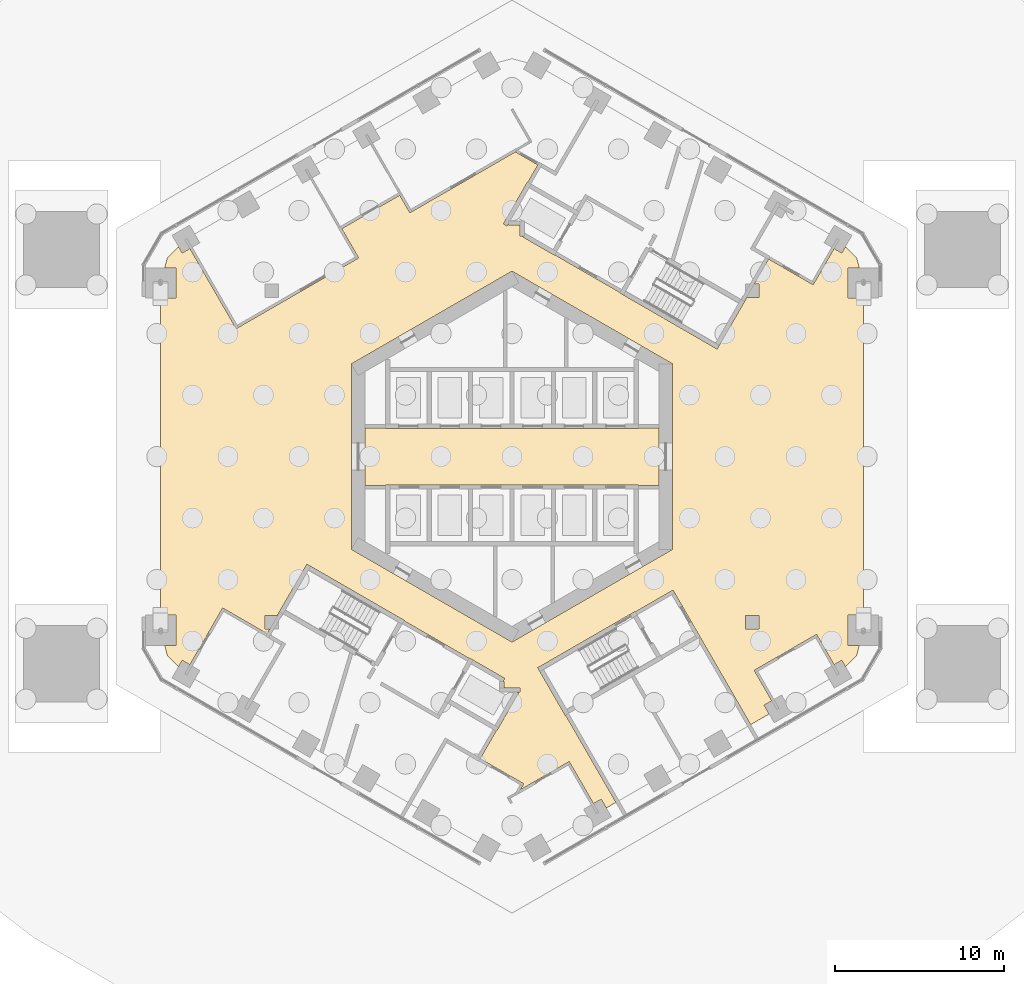
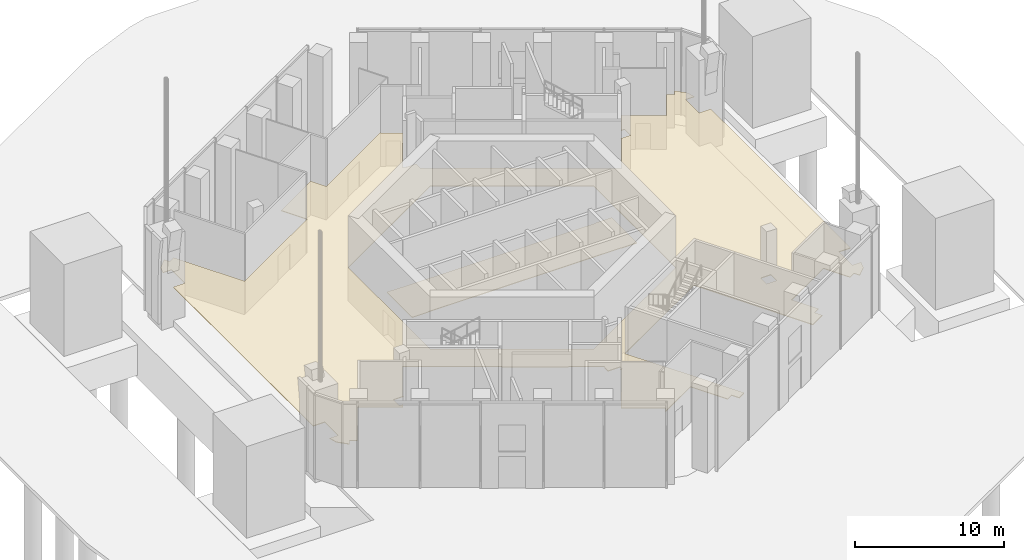
# One storey, part 16 of 18: 2 coverings.
"""IFC4 building model written with IfcOpenShell, lengths in metres."""

import ifcopenshell
import ifcopenshell.guid

model = None  # the IFC model being written
_history = None  # IfcOwnerHistory: only IFC2X3 demands one
_inside = {}  # id of a spatial element -> (the spatial element, [elements in it])
_under = {}  # id of a project, library or spatial element -> (it, [spatial elements below it])
_declared = {}  # id of a project -> (the project, [libraries it declares])
_typed = {}  # id of a type object -> (the type object, [elements of that type])
_made_of = {}  # id of a material, layer set ... -> (it, [elements and type objects made of it])


def new_model(schema):
    """Start an empty IFC model of exactly this schema.

    Asked for "IFC4X3", IfcOpenShell would pick the latest addendum, in which some entities
    have other attributes; the version numbers below select the first issue.
    IFC2X3 requires an IfcOwnerHistory on every rooted entity: one is made here for all.
    """
    global model, _history
    if schema == "IFC4X3":
        model = ifcopenshell.file(schema_version=(4, 3, 0, 0))
    else:
        model = ifcopenshell.file(schema=schema)
    _inside.clear()
    _under.clear()
    _declared.clear()
    _typed.clear()
    _made_of.clear()
    _history = None
    if model.schema == "IFC2X3":
        org = make("IfcOrganization", Name="unknown")
        user = make(
            "IfcPersonAndOrganization",
            ThePerson=make("IfcPerson", FamilyName="unknown"),
            TheOrganization=org,
        )
        app = make(
            "IfcApplication",
            ApplicationDeveloper=org,
            Version="unknown",
            ApplicationFullName="unknown",
            ApplicationIdentifier="unknown",
        )
        _history = make(
            "IfcOwnerHistory",
            OwningUser=user,
            OwningApplication=app,
            ChangeAction="ADDED",
            CreationDate=0,
        )
    return model


def make(cls, **values):
    """One entity of the class cls with the attributes given. An attribute that is None is left unset."""
    return model.create_entity(
        cls, **{name: value for name, value in values.items() if value is not None}
    )


def rooted(cls, **values):
    """An entity with a GlobalId (a new one), such as an element, a storey or a relation."""
    return make(cls, GlobalId=ifcopenshell.guid.new(), OwnerHistory=_history, **values)


def si_unit(unit_type, name, prefix=None):
    """IfcSIUnit, for example si_unit("LENGTHUNIT", "METRE", prefix="MILLI")."""
    return make("IfcSIUnit", UnitType=unit_type, Prefix=prefix, Name=name)


def assignment(units):
    """IfcUnitAssignment: the units of a project."""
    return None if units is None else make("IfcUnitAssignment", Units=units)


def point(xyz):
    """IfcCartesianPoint."""
    return None if xyz is None else make("IfcCartesianPoint", Coordinates=xyz)


def direction(xyz):
    """IfcDirection."""
    return None if xyz is None else make("IfcDirection", DirectionRatios=xyz)


def frame(location, z_axis=None, x_axis=None):
    """IfcAxis2Placement3D, a coordinate frame: its origin and axes. An axis left out is left unset."""
    return make(
        "IfcAxis2Placement3D",
        Location=point(location),
        Axis=direction(z_axis),
        RefDirection=direction(x_axis),
    )


def origin():
    """The frame at (0, 0, 0) with its axes left unset."""
    return frame((0.0, 0.0, 0.0))


def place(relative_to, where):
    """IfcLocalPlacement: puts the frame where relative to a parent placement (None: the world)."""
    return make(
        "IfcLocalPlacement", PlacementRelTo=relative_to, RelativePlacement=where
    )


def context(
    kind, dimensions, precision=None, world=None, true_north=None, identifier=None
):
    """IfcGeometricRepresentationContext, for example the 3D "Model" context."""
    return make(
        "IfcGeometricRepresentationContext",
        ContextIdentifier=identifier,
        ContextType=kind,
        CoordinateSpaceDimension=dimensions,
        Precision=precision,
        WorldCoordinateSystem=world,
        TrueNorth=true_north,
    )


def subcontext(parent, identifier, kind, view, scale=None):
    """IfcGeometricRepresentationSubContext, for example "Body" below "Model"."""
    return make(
        "IfcGeometricRepresentationSubContext",
        ContextIdentifier=identifier,
        ContextType=kind,
        ParentContext=parent,
        TargetScale=scale,
        TargetView=view,
    )


def project(units=None, contexts=None):
    """IfcProject with its units and contexts."""
    return rooted(
        "IfcProject",
        Name="project",
        RepresentationContexts=contexts,
        UnitsInContext=assignment(units),
    )


def spatial(cls, under=None, at=None, **own):
    """A site, building, storey or space (cls), placed at a placement, below another one or the project."""
    s = rooted(cls, ObjectPlacement=at, **own)
    if under is not None:
        _under.setdefault(under.id(), (under, []))[1].append(s)
    return s


def polyline(points):
    """IfcPolyline through the points."""
    return make("IfcPolyline", Points=[point(p) for p in points])


def outline(outer, holes=None, kind="AREA"):
    """IfcArbitraryClosedProfileDef: a profile drawn as a closed curve; with holes, ...WithVoids."""
    if holes is None:
        return make("IfcArbitraryClosedProfileDef", ProfileType=kind, OuterCurve=outer)
    return make(
        "IfcArbitraryProfileDefWithVoids",
        ProfileType=kind,
        OuterCurve=outer,
        InnerCurves=holes,
    )


def extrude(swept, where, along, depth):
    """IfcExtrudedAreaSolid: the profile swept, set in the frame where, extruded along a direction by depth."""
    return make(
        "IfcExtrudedAreaSolid",
        SweptArea=swept,
        Position=where,
        ExtrudedDirection=direction(along),
        Depth=depth,
    )


def shape(context_of_items, identifier, shape_type, items):
    """IfcShapeRepresentation: the items that make up one representation, for example the "Body"."""
    return make(
        "IfcShapeRepresentation",
        ContextOfItems=context_of_items,
        RepresentationIdentifier=identifier,
        RepresentationType=shape_type,
        Items=items,
    )


def material(Name=None, Category=None):
    """IfcMaterial."""
    return make("IfcMaterial", Name=Name, Category=Category)


def layer(
    of_material, thickness, ventilated=None, Name=None, Category=None, Priority=None
):
    """IfcMaterialLayer: one layer of a wall or slab, of a material (None: an air gap)."""
    return make(
        "IfcMaterialLayer",
        Material=of_material,
        LayerThickness=thickness,
        IsVentilated=ventilated,
        Name=Name,
        Category=Category,
        Priority=Priority,
    )


def layer_set(layers, Name=None):
    """IfcMaterialLayerSet."""
    return make("IfcMaterialLayerSet", MaterialLayers=layers, LayerSetName=Name)


def made_of(thing, what):
    """Note that an element or type object is made of a material, layer set ...; save() writes the relation."""
    if what is not None:
        _made_of.setdefault(what.id(), (what, []))[1].append(thing)
    return thing


def type_object(cls, material=None, **own):
    """A type object (cls), such as IfcWallType, which elements share."""
    return made_of(rooted(cls, **own), material)


def element(
    cls,
    number,
    at=None,
    inside=None,
    cuts=None,
    type_object=None,
    material=None,
    context=None,
    identifier="Body",
    shape_type=None,
    held_by="IfcProductDefinitionShape",
    body=None,
    shapes=None,
    **own,
):
    """One element of the class cls, such as IfcWall. Its Tag is "e" and its number.

    at: its placement. inside: the storey or other place that contains it. cuts: it is an
    opening in that element (IfcRelVoidsElement). A single representation is given by context,
    identifier, shape_type and body (its items); several are given by shapes. held_by: the class
    of the entity that holds the representations. save() writes the other relations.
    """
    e = rooted(cls, Tag="e%d" % number, ObjectPlacement=at, **own)
    if body is not None:
        shapes = [shape(context, identifier, shape_type, body)]
    if shapes is not None:
        e.Representation = make(held_by, Representations=shapes)
    if inside is not None:
        _inside.setdefault(inside.id(), (inside, []))[1].append(e)
    if cuts is not None:
        rooted(
            "IfcRelVoidsElement", RelatingBuildingElement=cuts, RelatedOpeningElement=e
        )
    if type_object is not None:
        _typed.setdefault(type_object.id(), (type_object, []))[1].append(e)
    return made_of(e, material)


def aggregate(whole, parts):
    """IfcRelAggregates: a whole, such as a stair, and the parts it consists of."""
    return rooted("IfcRelAggregates", RelatingObject=whole, RelatedObjects=parts)


def save(model, path):
    """Write the relations noted so far, then the file.

    IfcRelAggregates (storeys below a building ...), IfcRelContainedInSpatialStructure (elements
    in a storey), IfcRelDefinesByType, IfcRelAssociatesMaterial and IfcRelDeclares: one each for
    every whole, place, type object, material and project.
    """
    for whole, parts in _under.values():
        aggregate(whole, parts)
    for where, things in _inside.values():
        rooted(
            "IfcRelContainedInSpatialStructure",
            RelatedElements=things,
            RelatingStructure=where,
        )
    for kind, things in _typed.values():
        rooted("IfcRelDefinesByType", RelatedObjects=things, RelatingType=kind)
    for what, things in _made_of.values():
        rooted("IfcRelAssociatesMaterial", RelatedObjects=things, RelatingMaterial=what)
    for by, libraries in _declared.values():
        rooted("IfcRelDeclares", RelatingContext=by, RelatedDefinitions=libraries)
    model.write(path)


model = new_model("IFC4")

# Units and contexts
model_context = context("Model", 3, precision=1e-05, world=origin(), true_north=direction((0.0, 1.0)))
body_context = subcontext(model_context, "Body", "Model", "MODEL_VIEW")
ifc_project = project(units=[si_unit("LENGTHUNIT", "METRE"), si_unit("AREAUNIT", "SQUARE_METRE"), si_unit("VOLUMEUNIT", "CUBIC_METRE"), si_unit("PLANEANGLEUNIT", "RADIAN"), si_unit("MASSUNIT", "GRAM", prefix="KILO")], contexts=[model_context])

# Site, building, storey
site_placement = place(None, origin())
site = spatial("IfcSite", under=ifc_project, at=site_placement, CompositionType="ELEMENT")
building_placement = place(site_placement, origin())
building = spatial("IfcBuilding", under=site, at=building_placement, Name="Ayvan Gate Tower", CompositionType="ELEMENT")
storey_placement = place(building_placement, origin())
storey = spatial("IfcBuildingStorey", under=building, at=storey_placement, Name="L00", CompositionType="ELEMENT", Elevation=0.0)

# Coverings
ifc_material = material(Name="Plasterboard suspended ceiling")
ifc_layer = layer(ifc_material, 0.050048828125)
ifc_layer_set = layer_set([ifc_layer], Name="Plasterboard suspended ceiling")
covering_type = type_object("IfcCoveringType", Name="CT-SUSP-50", PredefinedType="CEILING", material=ifc_layer_set)
covering_1_placement = place(storey_placement, frame((0.0, 0.0, 2.699951171875)))
element("IfcCovering", 1, at=covering_1_placement, inside=storey, type_object=covering_type, Name="Ceiling Lift Lobby L00", PredefinedType="CEILING", context=body_context, shape_type="SweptSolid", body=[
    extrude(outline(polyline([(7.47509765625, -1.675048828125), (-7.47509765625, -1.675048828125), (-7.47509765625, -1.699951171875), (-8.699951171875, -1.699951171875), (-8.699951171875, 1.699951171875), (-7.47509765625, 1.699951171875), (-7.47509765625, 1.675048828125), (7.47509765625, 1.675048828125), (7.47509765625, 1.699951171875), (8.699951171875, 1.699951171875), (8.699951171875, -1.699951171875), (7.47509765625, -1.699951171875), (7.47509765625, -1.675048828125)])), origin(), (0.0, 0.0, 1.0), 0.050048828125),
])
covering_2_placement = place(storey_placement, frame((0.0, 0.0, 2.699951171875)))
element("IfcCovering", 2, at=covering_2_placement, inside=storey, type_object=covering_type, Name="Ceiling Gallery L00", PredefinedType="CEILING", context=body_context, shape_type="SweptSolid", body=[
    extrude(outline(polyline([(-13.7998046875, -9.39794921875), (-14.60009765625, -9.39794921875), (-14.60009765625, -10.197998046875), (-14.317138671875, -10.197998046875), (-14.476806640625, -10.474609375), (-16.982177734375, -9.028076171875), (-17.112060546875, -8.953125), (-19.049560546875, -12.308837890625), (-19.504150390625, -12.04638671875), (-19.723876953125, -12.4267578125), (-20.3828125, -11.767822265625), (-20.54345703125, -11.16796875), (-19.884521484375, -11.16796875), (-19.884521484375, -9.367919921875), (-20.78466796875, -9.367919921875), (-20.78466796875, 9.367919921875), (-19.884521484375, 9.367919921875), (-19.884521484375, 11.16796875), (-20.54345703125, 11.16796875), (-20.3828125, 11.767822265625), (-19.723876953125, 12.4267578125), (-19.504150390625, 12.04638671875), (-19.049560546875, 12.308837890625), (-16.31201171875, 7.5673828125), (-16.18212890625, 7.642333984375), (-9.215576171875, 11.66455078125), (-9.068359375, 11.74951171875), (-10.068359375, 13.481689453125), (-6.641357421875, 15.460205078125), (-6.041259765625, 14.4208984375), (-5.911376953125, 14.49609375), (0.2548828125, 18.05615234375), (0.2275390625, 18.008544921875), (1.53271484375, 17.2548828125), (0.9404296875, 16.22900390625), (0.918701171875, 16.241455078125), (-0.511474609375, 13.76416015625), (-0.294921875, 13.63916015625), (-0.215576171875, 13.776611328125), (-0.215576171875, 13.68505859375), (0.47509765625, 13.68505859375), (0.47509765625, 13.03857421875), (0.672119140625, 13.03857421875), (0.645751953125, 12.992919921875), (2.518310546875, 11.91162109375), (2.53076171875, 11.933349609375), (6.384521484375, 9.70849609375), (6.3720703125, 9.686767578125), (6.588623046875, 9.561767578125), (12.131103515625, 6.36181640625), (12.24609375, 6.56103515625), (13.863037109375, 9.361572265625), (13.7998046875, 9.39794921875), (14.60009765625, 9.39794921875), (14.60009765625, 10.197998046875), (14.317138671875, 10.197998046875), (15.164306640625, 11.665283203125), (15.1767578125, 11.68701171875), (17.81201171875, 10.165283203125), (17.88720703125, 10.29541015625), (19.049560546875, 12.308837890625), (19.504150390625, 12.04638671875), (19.723876953125, 12.4267578125), (20.3828125, 11.767822265625), (20.54345703125, 11.16796875), (19.884521484375, 11.16796875), (19.884521484375, 9.367919921875), (20.78466796875, 9.367919921875), (20.78466796875, -9.367919921875), (19.884521484375, -9.367919921875), (19.884521484375, -11.16796875), (20.54345703125, -11.16796875), (20.3828125, -11.767822265625), (19.723876953125, -12.4267578125), (19.504150390625, -12.04638671875), (19.049560546875, -12.308837890625), (18.09716796875, -10.6591796875), (18.01220703125, -10.511962890625), (14.3251953125, -12.640380859375), (14.400146484375, -12.7705078125), (15.36279296875, -14.4375), (14.908203125, -14.699951171875), (15.2080078125, -15.219482421875), (14.1162109375, -15.85009765625), (11.123779296875, -10.667236328125), (9.623779296875, -8.069091796875), (9.52392578125, -7.89599609375), (7.2939453125, -9.183349609375), (7.281494140625, -9.16162109375), (1.522216796875, -12.48681640625), (1.647216796875, -12.703369140625), (3.147216796875, -15.30126953125), (3.1689453125, -15.288818359375), (6.148681640625, -20.449951171875), (5.576416015625, -20.780517578125), (5.276611328125, -20.2607421875), (4.82177734375, -20.523193359375), (3.46923828125, -18.1806640625), (3.384521484375, -18.033447265625), (0.4873046875, -19.7060546875), (0.61865234375, -19.478515625), (0.693603515625, -19.3486328125), (-1.8828125, -17.861083984375), (-0.9404296875, -16.22900390625), (-0.9189453125, -16.24169921875), (-0.803955078125, -16.042236328125), (0.386474609375, -13.980712890625), (0.30712890625, -13.93505859375), (0.465576171875, -13.93505859375), (0.465576171875, -13.68505859375), (-0.47509765625, -13.68505859375), (-0.47509765625, -13.28857421875), (-0.52783203125, -13.28857421875), (-0.42919921875, -13.117919921875), (-2.284423828125, -12.046630859375), (-2.518310546875, -11.91162109375), (-2.53076171875, -11.933349609375), (-6.384521484375, -9.70849609375), (-6.3720703125, -9.686767578125), (-11.897216796875, -6.49658203125), (-12.131103515625, -6.36181640625), (-13.863037109375, -9.361572265625), (-13.7998046875, -9.39794921875)]), holes=[polyline([(13.800048828125, -10.197998046875), (14.60009765625, -10.197998046875), (14.60009765625, -9.39794921875), (13.800048828125, -9.39794921875), (13.800048828125, -10.197998046875)]), polyline([(-2.808349609375, -9.34814453125), (0.0, -10.9697265625), (2.808349609375, -9.34814453125), (9.5, -5.48486328125), (9.5, 5.48486328125), (2.808349609375, 9.34814453125), (0.0, 10.9697265625), (-2.808349609375, 9.34814453125), (-9.5, 5.48486328125), (-9.5, -5.48486328125), (-2.808349609375, -9.34814453125)])]), origin(), (0.0, 0.0, 1.0), 0.050048828125),
])

save(model, "model.ifc")
